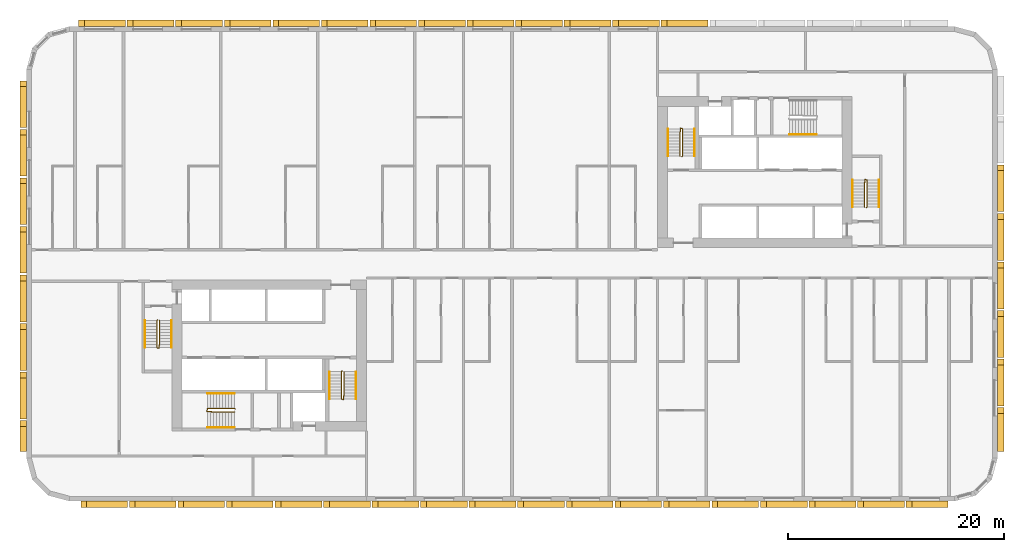
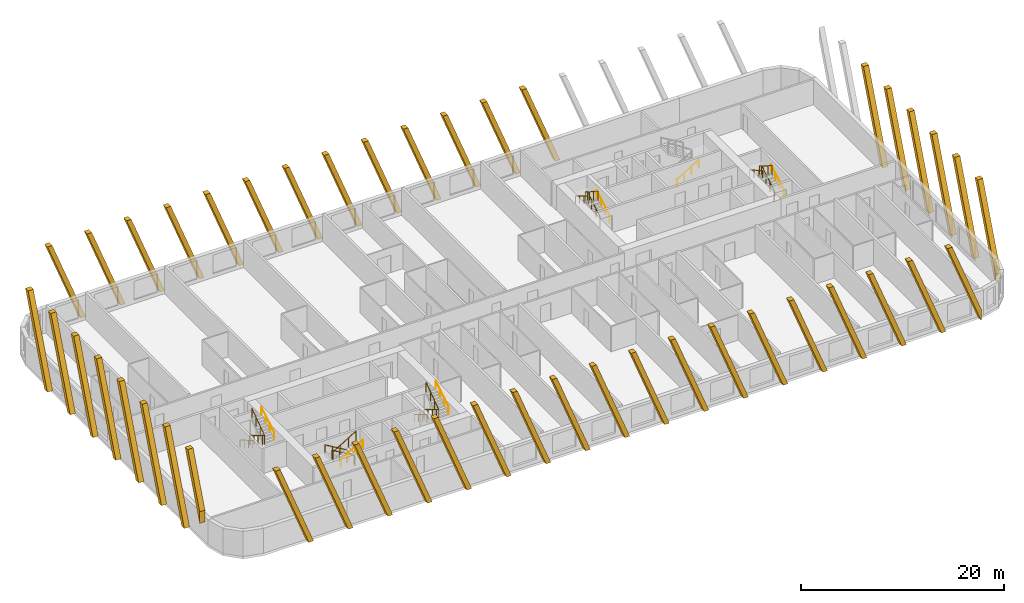
# One storey, part 12 of 13: 45 coverings, 16 railings.
"""IFC4 building model written with IfcOpenShell, lengths in metres."""

from ifc_helpers import new_model, si_unit, direction, frame, origin, origin_2d, place, context, subcontext, project, spatial, polyline, rectangle, circle, outline, extrude, material, material_profile, profile_set, type_object, element, save


model = new_model("IFC4")

# Units and contexts
model_context = context("Model", 3, precision=1e-05, world=origin(), true_north=direction((0.0, 1.0)))
body_context = subcontext(model_context, "Body", "Model", "MODEL_VIEW")
ifc_project = project(units=[si_unit("LENGTHUNIT", "METRE"), si_unit("AREAUNIT", "SQUARE_METRE"), si_unit("VOLUMEUNIT", "CUBIC_METRE"), si_unit("PLANEANGLEUNIT", "RADIAN"), si_unit("MASSUNIT", "GRAM", prefix="KILO")], contexts=[model_context])

# Site, building, storey
site_placement = place(None, origin())
site = spatial("IfcSite", under=ifc_project, at=site_placement, CompositionType="ELEMENT")
building_placement = place(site_placement, origin())
building = spatial("IfcBuilding", under=site, at=building_placement, Name="Kajstack Hotel Tower", CompositionType="ELEMENT")
storey_placement = place(building_placement, frame((0.0, 0.0, 79.800048828125)))
storey = spatial("IfcBuildingStorey", under=building, at=storey_placement, Name="L15", CompositionType="ELEMENT", Elevation=79.800048828125)

# Coverings
ifc_material_1 = material(Name="Terracotta", Category="masonry")
ifc_material_profile = material_profile(ifc_material_1, rectangle(XDim=0.60009765625, YDim=0.5, at=origin_2d()), Name="Terracotta-clad concrete baguette 500 x 600")
ifc_profile_set = profile_set([ifc_material_profile], Name="Terracotta")
covering_type = type_object("IfcCoveringType", Name="BAGUETTE 500x600", PredefinedType="CLADDING", material=ifc_profile_set)
for number, where, z_axis, x_axis, name in (
    (1, (-39.968017578125, -22.0, 0.0), (0.0, -1.0, 0.0), (1.0, 0.0, 0.0), "Baguette L15-03-002"),
    (2, (-35.468017578125, -22.0, 0.0), (0.0, -1.0, 0.0), (1.0, 0.0, 0.0), "Baguette L15-03-006"),
    (3, (-30.968017578125, -22.0, 0.0), (0.0, -1.0, 0.0), (1.0, 0.0, 0.0), "Baguette L15-03-010"),
    (4, (-26.468017578125, -22.0, 0.0), (0.0, -1.0, 0.0), (1.0, 0.0, 0.0), "Baguette L15-03-014"),
    (5, (-21.968017578125, -22.0, 0.0), (0.0, -1.0, 0.0), (1.0, 0.0, 0.0), "Baguette L15-03-018"),
    (6, (-17.468017578125, -22.0, 0.0), (0.0, -1.0, 0.0), (1.0, 0.0, 0.0), "Baguette L15-03-022"),
    (7, (-12.968017578125, -22.0, 0.0), (0.0, -1.0, 0.0), (1.0, 0.0, 0.0), "Baguette L15-03-026"),
    (8, (-8.468017578125, -22.0, 0.0), (0.0, -1.0, 0.0), (1.0, 0.0, 0.0), "Baguette L15-03-030"),
    (9, (-3.968017578125, -22.0, 0.0), (0.0, -1.0, 0.0), (1.0, 0.0, 0.0), "Baguette L15-03-034"),
    (10, (0.531982421875, -22.0, 0.0), (0.0, -1.0, 0.0), (1.0, 0.0, 0.0), "Baguette L15-03-038"),
    (11, (5.031982421875, -22.0, 0.0), (0.0, -1.0, 0.0), (1.0, 0.0, 0.0), "Baguette L15-03-042"),
    (12, (9.531982421875, -22.0, 0.0), (0.0, -1.0, 0.0), (1.0, 0.0, 0.0), "Baguette L15-03-046"),
    (13, (14.031982421875, -22.0, 0.0), (0.0, -1.0, 0.0), (1.0, 0.0, 0.0), "Baguette L15-03-050"),
    (14, (18.531982421875, -22.0, 0.0), (0.0, -1.0, 0.0), (1.0, 0.0, 0.0), "Baguette L15-03-054"),
    (15, (23.031982421875, -22.0, 0.0), (0.0, -1.0, 0.0), (1.0, 0.0, 0.0), "Baguette L15-03-058"),
    (16, (27.531982421875, -22.0, 0.0), (0.0, -1.0, 0.0), (1.0, 0.0, 0.0), "Baguette L15-03-062"),
    (17, (32.031982421875, -22.0, 0.0), (0.0, -1.0, 0.0), (1.0, 0.0, 0.0), "Baguette L15-03-066"),
):
    element("IfcCovering", number, at=place(storey_placement, frame(where, z_axis=z_axis, x_axis=x_axis)), inside=storey, type_object=covering_type, Name=name, PredefinedType="CLADDING", context=body_context, shape_type="SweptSolid", body=[
        extrude(outline(polyline([(0.0, 9.89990234375), (3.80029296875, 0.0), (4.3359375, 0.0), (0.53564453125, 9.89990234375), (0.0, 9.89990234375)])), origin(), (0.0, 0.0, 1.0), 0.60009765625),
    ])
covering_1_placement = place(storey_placement, frame((36.531982421875, -22.0, 0.0), z_axis=(0.0, -1.0, 0.0), x_axis=(1.0, 0.0, 0.0)))
element("IfcCovering", 18, at=covering_1_placement, inside=storey, type_object=covering_type, Name="Baguette L15-03-070", PredefinedType="CLADDING", context=body_context, shape_type="SweptSolid", body=[
    extrude(outline(polyline([(3.80029296875, 0.0), (3.867919921875, 0.0), (3.867919921875, 1.218505859375), (0.53564453125, 9.89990234375), (0.0, 9.89990234375), (3.80029296875, 0.0)])), origin(), (0.0, 0.0, 1.0), 0.60009765625),
])
covering_2_placement = place(storey_placement, frame((45.0, -17.39990234375, 0.0), z_axis=(1.0, 0.0, 0.0), x_axis=(0.0, 1.0, 0.0)))
element("IfcCovering", 19, at=covering_2_placement, inside=storey, type_object=covering_type, Name="Baguette L15-07-002", PredefinedType="CLADDING", context=body_context, shape_type="SweptSolid", body=[
    extrude(outline(polyline([(3.532470703125, 9.89990234375), (0.0, 0.697509765625), (0.0, 0.0), (0.267822265625, 0.0), (4.068115234375, 9.89990234375), (3.532470703125, 9.89990234375)])), origin(), (0.0, 0.0, 1.0), 0.60009765625),
])
for number, where, z_axis, x_axis, name in (
    (20, (45.0, -13.167724609375, 0.0), (1.0, 0.0, 0.0), (0.0, 1.0, 0.0), "Baguette L15-07-006"),
    (21, (45.0, -8.667724609375, 0.0), (1.0, 0.0, 0.0), (0.0, 1.0, 0.0), "Baguette L15-07-010"),
    (22, (45.0, -4.167724609375, 0.0), (1.0, 0.0, 0.0), (0.0, 1.0, 0.0), "Baguette L15-07-014"),
    (23, (45.0, 0.332275390625, 0.0), (1.0, 0.0, 0.0), (0.0, 1.0, 0.0), "Baguette L15-07-018"),
    (24, (45.0, 4.832275390625, 0.0), (1.0, 0.0, 0.0), (0.0, 1.0, 0.0), "Baguette L15-07-022"),
    (25, (18.167724609375, 22.0, 0.0), (0.0, 1.0, 0.0), (-1.0, 0.0, 0.0), "Baguette L15-11-022"),
    (26, (13.667724609375, 22.0, 0.0), (0.0, 1.0, 0.0), (-1.0, 0.0, 0.0), "Baguette L15-11-026"),
    (27, (9.167724609375, 22.0, 0.0), (0.0, 1.0, 0.0), (-1.0, 0.0, 0.0), "Baguette L15-11-030"),
    (28, (4.667724609375, 22.0, 0.0), (0.0, 1.0, 0.0), (-1.0, 0.0, 0.0), "Baguette L15-11-034"),
    (29, (0.167724609375, 22.0, 0.0), (0.0, 1.0, 0.0), (-1.0, 0.0, 0.0), "Baguette L15-11-038"),
    (30, (-4.332275390625, 22.0, 0.0), (0.0, 1.0, 0.0), (-1.0, 0.0, 0.0), "Baguette L15-11-042"),
    (31, (-8.832275390625, 22.0, 0.0), (0.0, 1.0, 0.0), (-1.0, 0.0, 0.0), "Baguette L15-11-046"),
    (32, (-13.332275390625, 22.0, 0.0), (0.0, 1.0, 0.0), (-1.0, 0.0, 0.0), "Baguette L15-11-050"),
    (33, (-17.832275390625, 22.0, 0.0), (0.0, 1.0, 0.0), (-1.0, 0.0, 0.0), "Baguette L15-11-054"),
    (34, (-22.332275390625, 22.0, 0.0), (0.0, 1.0, 0.0), (-1.0, 0.0, 0.0), "Baguette L15-11-058"),
    (35, (-26.832275390625, 22.0, 0.0), (0.0, 1.0, 0.0), (-1.0, 0.0, 0.0), "Baguette L15-11-062"),
    (36, (-31.332275390625, 22.0, 0.0), (0.0, 1.0, 0.0), (-1.0, 0.0, 0.0), "Baguette L15-11-066"),
    (37, (-35.832275390625, 22.0, 0.0), (0.0, 1.0, 0.0), (-1.0, 0.0, 0.0), "Baguette L15-11-070"),
):
    element("IfcCovering", number, at=place(storey_placement, frame(where, z_axis=z_axis, x_axis=x_axis)), inside=storey, type_object=covering_type, Name=name, PredefinedType="CLADDING", context=body_context, shape_type="SweptSolid", body=[
        extrude(outline(polyline([(3.80029296875, 9.89990234375), (0.0, 0.0), (0.53564453125, 0.0), (4.3359375, 9.89990234375), (3.80029296875, 9.89990234375)])), origin(), (0.0, 0.0, 1.0), 0.60009765625),
    ])
for number, where, z_axis, x_axis, name in (
    (38, (-45.0, 16.968017578125, 0.0), (-1.0, 0.0, 0.0), (0.0, -1.0, 0.0), "Baguette L15-15-002"),
    (39, (-45.0, 12.468017578125, 0.0), (-1.0, 0.0, 0.0), (0.0, -1.0, 0.0), "Baguette L15-15-006"),
    (40, (-45.0, 7.968017578125, 0.0), (-1.0, 0.0, 0.0), (0.0, -1.0, 0.0), "Baguette L15-15-010"),
    (41, (-45.0, 3.468017578125, 0.0), (-1.0, 0.0, 0.0), (0.0, -1.0, 0.0), "Baguette L15-15-014"),
    (42, (-45.0, -1.031982421875, 0.0), (-1.0, 0.0, 0.0), (0.0, -1.0, 0.0), "Baguette L15-15-018"),
    (43, (-45.0, -5.531982421875, 0.0), (-1.0, 0.0, 0.0), (0.0, -1.0, 0.0), "Baguette L15-15-022"),
    (44, (-45.0, -10.031982421875, 0.0), (-1.0, 0.0, 0.0), (0.0, -1.0, 0.0), "Baguette L15-15-026"),
):
    element("IfcCovering", number, at=place(storey_placement, frame(where, z_axis=z_axis, x_axis=x_axis)), inside=storey, type_object=covering_type, Name=name, PredefinedType="CLADDING", context=body_context, shape_type="SweptSolid", body=[
        extrude(outline(polyline([(0.0, 9.89990234375), (3.80029296875, 0.0), (4.3359375, 0.0), (0.53564453125, 9.89990234375), (0.0, 9.89990234375)])), origin(), (0.0, 0.0, 1.0), 0.60009765625),
    ])
covering_3_placement = place(storey_placement, frame((-45.0, -14.531982421875, 0.0), z_axis=(-1.0, 0.0, 0.0), x_axis=(0.0, -1.0, 0.0)))
element("IfcCovering", 45, at=covering_3_placement, inside=storey, type_object=covering_type, Name="Baguette L15-15-030", PredefinedType="CLADDING", context=body_context, shape_type="SweptSolid", body=[
    extrude(outline(polyline([(0.0, 9.89990234375), (2.867919921875, 2.428466796875), (2.867919921875, 3.82373046875), (0.53564453125, 9.89990234375), (0.0, 9.89990234375)])), origin(), (0.0, 0.0, 1.0), 0.60009765625),
])

# Railings
ifc_material_2 = material(Name="Steel S355J2", Category="steel")
railing_type_1 = type_object("IfcRailingType", Name="Stair guard 1100", PredefinedType="GUARDRAIL", material=ifc_material_2)
railing_1_placement = place(storey_placement, frame((-32.85009765625, -5.199951171875, 0.0)))
element("IfcRailing", 46, at=railing_1_placement, inside=storey, type_object=railing_type_1, Name="L15 W1 stair guard 1", PredefinedType="GUARDRAIL", context=body_context, shape_type="SweptSolid", body=[
    extrude(circle(Radius=0.02392578125, at=origin_2d()), frame((0.0, 0.0, 1.076171875), z_axis=(-0.277450376394, -0.278810427259, 0.919394384522), x_axis=(0.708833529934, -0.705375805398, 0.0)), (0.0, 0.0, 1.0), 0.179443359375),
    extrude(circle(Radius=0.02392578125, at=origin_2d()), frame((-0.0498046875, -0.050048828125, 1.2412109375), z_axis=(0.0, -0.861560626758, 0.507654692109), x_axis=(1.0, 0.0, 0.0)), (0.0, 0.0, 1.0), 2.925048828125),
    extrude(circle(Radius=0.02392578125, at=origin_2d()), frame((-0.0498046875, -2.570068359375, 2.72607421875), z_axis=(0.970072785993, -0.242814311512, 0.0), x_axis=(0.242814311512, 0.970072785993, 0.0)), (0.0, 0.0, 1.0), 0.2060546875),
    extrude(circle(Radius=0.02392578125, at=origin_2d()), frame((0.150146484375, -2.6201171875, 2.72607421875), z_axis=(0.016384601254, 0.84136925563, 0.540212292087), x_axis=(-0.999810440751, 0.019470042781, 0.0)), (0.0, 0.0, 1.0), 3.0546875),
    extrude(circle(Radius=0.02099609375, at=origin_2d()), origin(), (0.0, 0.0, 1.0), 1.052001953125),
    extrude(circle(Radius=0.02099609375, at=origin_2d()), frame((-0.0498046875, -0.050048828125, 0.1650390625)), (0.0, 0.0, 1.0), 1.052001953125),
    extrude(circle(Radius=0.02099609375, at=origin_2d()), frame((-0.0498046875, -0.89013671875, 0.659912109375)), (0.0, 0.0, 1.0), 1.052001953125),
    extrude(circle(Radius=0.02099609375, at=origin_2d()), frame((-0.0498046875, -1.72998046875, 1.155029296875)), (0.0, 0.0, 1.0), 1.052001953125),
    extrude(circle(Radius=0.02099609375, at=origin_2d()), frame((-0.0498046875, -2.570068359375, 1.64990234375)), (0.0, 0.0, 1.0), 1.052001953125),
    extrude(circle(Radius=0.02099609375, at=origin_2d()), frame((0.150146484375, -2.6201171875, 1.64990234375)), (0.0, 0.0, 1.0), 1.052001953125),
    extrude(circle(Radius=0.02099609375, at=origin_2d()), frame((0.166748046875, -1.763427734375, 2.199951171875)), (0.0, 0.0, 1.0), 1.052001953125),
    extrude(circle(Radius=0.02099609375, at=origin_2d()), frame((0.18359375, -0.90673828125, 2.75)), (0.0, 0.0, 1.0), 1.052001953125),
    extrude(circle(Radius=0.02099609375, at=origin_2d()), frame((0.2001953125, -0.050048828125, 3.300048828125)), (0.0, 0.0, 1.0), 1.052001953125),
])
railing_2_placement = place(storey_placement, frame((-15.75, -9.949951171875, 0.0)))
element("IfcRailing", 47, at=railing_2_placement, inside=storey, type_object=railing_type_1, Name="L15 W2 stair guard 1", PredefinedType="GUARDRAIL", context=body_context, shape_type="SweptSolid", body=[
    extrude(circle(Radius=0.02392578125, at=origin_2d()), frame((0.0, 0.0, 1.076171875), z_axis=(-0.278705021027, -0.278705021027, 0.919046801044), x_axis=(0.707106781187, -0.707106781187, 0.0)), (0.0, 0.0, 1.0), 0.1796875),
    extrude(circle(Radius=0.02392578125, at=origin_2d()), frame((-0.050048828125, -0.050048828125, 1.2412109375), z_axis=(0.0, -0.861560626758, 0.507654692109), x_axis=(1.0, 0.0, 0.0)), (0.0, 0.0, 1.0), 2.925048828125),
    extrude(circle(Radius=0.02392578125, at=origin_2d()), frame((-0.050048828125, -2.570068359375, 2.72607421875), z_axis=(0.970072785993, -0.242814311512, 0.0), x_axis=(0.242814311512, 0.970072785993, 0.0)), (0.0, 0.0, 1.0), 0.2060546875),
    extrude(circle(Radius=0.02392578125, at=origin_2d()), frame((0.14990234375, -2.6201171875, 2.72607421875), z_axis=(0.016384601254, 0.84136925563, 0.540212292087), x_axis=(-0.999810440751, 0.019470042781, 0.0)), (0.0, 0.0, 1.0), 3.0546875),
    extrude(circle(Radius=0.02099609375, at=origin_2d()), origin(), (0.0, 0.0, 1.0), 1.052001953125),
    extrude(circle(Radius=0.02099609375, at=origin_2d()), frame((-0.050048828125, -0.050048828125, 0.1650390625)), (0.0, 0.0, 1.0), 1.052001953125),
    extrude(circle(Radius=0.02099609375, at=origin_2d()), frame((-0.050048828125, -0.89013671875, 0.659912109375)), (0.0, 0.0, 1.0), 1.052001953125),
    extrude(circle(Radius=0.02099609375, at=origin_2d()), frame((-0.050048828125, -1.72998046875, 1.155029296875)), (0.0, 0.0, 1.0), 1.052001953125),
    extrude(circle(Radius=0.02099609375, at=origin_2d()), frame((-0.050048828125, -2.570068359375, 1.64990234375)), (0.0, 0.0, 1.0), 1.052001953125),
    extrude(circle(Radius=0.02099609375, at=origin_2d()), frame((0.14990234375, -2.6201171875, 1.64990234375)), (0.0, 0.0, 1.0), 1.052001953125),
    extrude(circle(Radius=0.02099609375, at=origin_2d()), frame((0.16650390625, -1.763427734375, 2.199951171875)), (0.0, 0.0, 1.0), 1.052001953125),
    extrude(circle(Radius=0.02099609375, at=origin_2d()), frame((0.183349609375, -0.90673828125, 2.75)), (0.0, 0.0, 1.0), 1.052001953125),
    extrude(circle(Radius=0.02099609375, at=origin_2d()), frame((0.199951171875, -0.050048828125, 3.300048828125)), (0.0, 0.0, 1.0), 1.052001953125),
])
railing_3_placement = place(storey_placement, frame((-25.64990234375, -13.449951171875, 0.0)))
element("IfcRailing", 48, at=railing_3_placement, inside=storey, type_object=railing_type_1, Name="L15 W3 stair guard 1", PredefinedType="GUARDRAIL", context=body_context, shape_type="SweptSolid", body=[
    extrude(circle(Radius=0.02392578125, at=origin_2d()), frame((0.0, 0.0, 1.076171875), z_axis=(-0.278705021027, 0.278705021027, 0.919046801044), x_axis=(-0.707106781187, -0.707106781187, 0.0)), (0.0, 0.0, 1.0), 0.1796875),
    extrude(circle(Radius=0.02392578125, at=origin_2d()), frame((-0.050048828125, 0.050048828125, 1.2412109375), z_axis=(-0.861560626758, 0.0, 0.507654692109), x_axis=(0.0, -1.0, 0.0)), (0.0, 0.0, 1.0), 2.925048828125),
    extrude(circle(Radius=0.02392578125, at=origin_2d()), frame((-2.570068359375, 0.050048828125, 2.72607421875), z_axis=(-0.164529134168, -0.986372223864, 0.0), x_axis=(0.986372223864, -0.164529134168, 0.0)), (0.0, 0.0, 1.0), 0.30419921875),
    extrude(circle(Radius=0.02392578125, at=origin_2d()), frame((-2.6201171875, -0.25, 2.72607421875), z_axis=(0.84136925563, -0.016384601254, 0.540212292087), x_axis=(0.019470042781, 0.999810440751, 0.0)), (0.0, 0.0, 1.0), 3.0546875),
    extrude(circle(Radius=0.02099609375, at=origin_2d()), origin(), (0.0, 0.0, 1.0), 1.052001953125),
    extrude(circle(Radius=0.02099609375, at=origin_2d()), frame((-0.050048828125, 0.050048828125, 0.1650390625)), (0.0, 0.0, 1.0), 1.052001953125),
    extrude(circle(Radius=0.02099609375, at=origin_2d()), frame((-0.89013671875, 0.050048828125, 0.659912109375)), (0.0, 0.0, 1.0), 1.052001953125),
    extrude(circle(Radius=0.02099609375, at=origin_2d()), frame((-1.72998046875, 0.050048828125, 1.155029296875)), (0.0, 0.0, 1.0), 1.052001953125),
    extrude(circle(Radius=0.02099609375, at=origin_2d()), frame((-2.570068359375, 0.050048828125, 1.64990234375)), (0.0, 0.0, 1.0), 1.052001953125),
    extrude(circle(Radius=0.02099609375, at=origin_2d()), frame((-2.6201171875, -0.25, 1.64990234375)), (0.0, 0.0, 1.0), 1.052001953125),
    extrude(circle(Radius=0.02099609375, at=origin_2d()), frame((-1.763427734375, -0.2666015625, 2.199951171875)), (0.0, 0.0, 1.0), 1.052001953125),
    extrude(circle(Radius=0.02099609375, at=origin_2d()), frame((-0.90673828125, -0.283447265625, 2.75)), (0.0, 0.0, 1.0), 1.052001953125),
    extrude(circle(Radius=0.02099609375, at=origin_2d()), frame((-0.050048828125, -0.300048828125, 3.300048828125)), (0.0, 0.0, 1.0), 1.052001953125),
])
railing_4_placement = place(storey_placement, frame((32.85009765625, 5.199951171875, 0.0)))
element("IfcRailing", 49, at=railing_4_placement, inside=storey, type_object=railing_type_1, Name="L15 E1 stair guard 1", PredefinedType="GUARDRAIL", context=body_context, shape_type="SweptSolid", body=[
    extrude(circle(Radius=0.02392578125, at=origin_2d()), frame((0.0, 0.0, 1.076171875), z_axis=(0.277450376394, 0.278810427259, 0.919394384522), x_axis=(-0.708833529934, 0.705375805398, 0.0)), (0.0, 0.0, 1.0), 0.179443359375),
    extrude(circle(Radius=0.02392578125, at=origin_2d()), frame((0.0498046875, 0.050048828125, 1.2412109375), z_axis=(0.0, 0.861560626758, 0.507654692109), x_axis=(-1.0, 0.0, 0.0)), (0.0, 0.0, 1.0), 2.925048828125),
    extrude(circle(Radius=0.02392578125, at=origin_2d()), frame((0.0498046875, 2.570068359375, 2.72607421875), z_axis=(-0.970072785993, 0.242814311512, 0.0), x_axis=(-0.242814311512, -0.970072785993, 0.0)), (0.0, 0.0, 1.0), 0.2060546875),
    extrude(circle(Radius=0.02392578125, at=origin_2d()), frame((-0.150146484375, 2.6201171875, 2.72607421875), z_axis=(-0.016384601254, -0.84136925563, 0.540212292087), x_axis=(0.999810440751, -0.019470042781, 0.0)), (0.0, 0.0, 1.0), 3.0546875),
    extrude(circle(Radius=0.02099609375, at=origin_2d()), origin(), (0.0, 0.0, 1.0), 1.052001953125),
    extrude(circle(Radius=0.02099609375, at=origin_2d()), frame((0.0498046875, 0.050048828125, 0.1650390625)), (0.0, 0.0, 1.0), 1.052001953125),
    extrude(circle(Radius=0.02099609375, at=origin_2d()), frame((0.0498046875, 0.89013671875, 0.659912109375)), (0.0, 0.0, 1.0), 1.052001953125),
    extrude(circle(Radius=0.02099609375, at=origin_2d()), frame((0.0498046875, 1.72998046875, 1.155029296875)), (0.0, 0.0, 1.0), 1.052001953125),
    extrude(circle(Radius=0.02099609375, at=origin_2d()), frame((0.0498046875, 2.570068359375, 1.64990234375)), (0.0, 0.0, 1.0), 1.052001953125),
    extrude(circle(Radius=0.02099609375, at=origin_2d()), frame((-0.150146484375, 2.6201171875, 1.64990234375)), (0.0, 0.0, 1.0), 1.052001953125),
    extrude(circle(Radius=0.02099609375, at=origin_2d()), frame((-0.166748046875, 1.763427734375, 2.199951171875)), (0.0, 0.0, 1.0), 1.052001953125),
    extrude(circle(Radius=0.02099609375, at=origin_2d()), frame((-0.18359375, 0.90673828125, 2.75)), (0.0, 0.0, 1.0), 1.052001953125),
    extrude(circle(Radius=0.02099609375, at=origin_2d()), frame((-0.2001953125, 0.050048828125, 3.300048828125)), (0.0, 0.0, 1.0), 1.052001953125),
])
railing_5_placement = place(storey_placement, frame((15.75, 9.949951171875, 0.0)))
element("IfcRailing", 50, at=railing_5_placement, inside=storey, type_object=railing_type_1, Name="L15 E2 stair guard 1", PredefinedType="GUARDRAIL", context=body_context, shape_type="SweptSolid", body=[
    extrude(circle(Radius=0.02392578125, at=origin_2d()), frame((0.0, 0.0, 1.076171875), z_axis=(0.278705021027, 0.278705021027, 0.919046801044), x_axis=(-0.707106781187, 0.707106781187, 0.0)), (0.0, 0.0, 1.0), 0.1796875),
    extrude(circle(Radius=0.02392578125, at=origin_2d()), frame((0.050048828125, 0.050048828125, 1.2412109375), z_axis=(0.0, 0.861560626758, 0.507654692109), x_axis=(-1.0, 0.0, 0.0)), (0.0, 0.0, 1.0), 2.925048828125),
    extrude(circle(Radius=0.02392578125, at=origin_2d()), frame((0.050048828125, 2.570068359375, 2.72607421875), z_axis=(-0.970072785993, 0.242814311512, 0.0), x_axis=(-0.242814311512, -0.970072785993, 0.0)), (0.0, 0.0, 1.0), 0.2060546875),
    extrude(circle(Radius=0.02392578125, at=origin_2d()), frame((-0.14990234375, 2.6201171875, 2.72607421875), z_axis=(-0.016384601254, -0.84136925563, 0.540212292087), x_axis=(0.999810440751, -0.019470042781, 0.0)), (0.0, 0.0, 1.0), 3.0546875),
    extrude(circle(Radius=0.02099609375, at=origin_2d()), origin(), (0.0, 0.0, 1.0), 1.052001953125),
    extrude(circle(Radius=0.02099609375, at=origin_2d()), frame((0.050048828125, 0.050048828125, 0.1650390625)), (0.0, 0.0, 1.0), 1.052001953125),
    extrude(circle(Radius=0.02099609375, at=origin_2d()), frame((0.050048828125, 0.89013671875, 0.659912109375)), (0.0, 0.0, 1.0), 1.052001953125),
    extrude(circle(Radius=0.02099609375, at=origin_2d()), frame((0.050048828125, 1.72998046875, 1.155029296875)), (0.0, 0.0, 1.0), 1.052001953125),
    extrude(circle(Radius=0.02099609375, at=origin_2d()), frame((0.050048828125, 2.570068359375, 1.64990234375)), (0.0, 0.0, 1.0), 1.052001953125),
    extrude(circle(Radius=0.02099609375, at=origin_2d()), frame((-0.14990234375, 2.6201171875, 1.64990234375)), (0.0, 0.0, 1.0), 1.052001953125),
    extrude(circle(Radius=0.02099609375, at=origin_2d()), frame((-0.16650390625, 1.763427734375, 2.199951171875)), (0.0, 0.0, 1.0), 1.052001953125),
    extrude(circle(Radius=0.02099609375, at=origin_2d()), frame((-0.183349609375, 0.90673828125, 2.75)), (0.0, 0.0, 1.0), 1.052001953125),
    extrude(circle(Radius=0.02099609375, at=origin_2d()), frame((-0.199951171875, 0.050048828125, 3.300048828125)), (0.0, 0.0, 1.0), 1.052001953125),
])
railing_type_2 = type_object("IfcRailingType", Name="Stair handrail 900", PredefinedType="HANDRAIL", material=ifc_material_2)
railing_6_placement = place(storey_placement, frame((-34.0, -5.25, 0.1650390625)))
element("IfcRailing", 51, at=railing_6_placement, inside=storey, type_object=railing_type_2, Name="L15 W1 stair handrail 1", PredefinedType="HANDRAIL", context=body_context, shape_type="SweptSolid", body=[
    extrude(circle(Radius=0.02392578125, at=origin_2d()), frame((0.0, 0.0, 0.8759765625), z_axis=(0.0, -0.861560626758, 0.507654692109), x_axis=(1.0, 0.0, 0.0)), (0.0, 0.0, 1.0), 2.925048828125),
    extrude(circle(Radius=0.02099609375, at=origin_2d()), origin(), (0.0, 0.0, 1.0), 0.851806640625),
    extrude(circle(Radius=0.02099609375, at=origin_2d()), frame((0.0, -0.840087890625, 0.494873046875)), (0.0, 0.0, 1.0), 0.851806640625),
    extrude(circle(Radius=0.02099609375, at=origin_2d()), frame((0.0, -1.679931640625, 0.989990234375)), (0.0, 0.0, 1.0), 0.851806640625),
    extrude(circle(Radius=0.02099609375, at=origin_2d()), frame((0.0, -2.52001953125, 1.48486328125)), (0.0, 0.0, 1.0), 0.851806640625),
])
railing_7_placement = place(storey_placement, frame((-31.550048828125, -7.77001953125, 1.81494140625)))
element("IfcRailing", 52, at=railing_7_placement, inside=storey, type_object=railing_type_2, Name="L15 W1 stair handrail 2", PredefinedType="HANDRAIL", context=body_context, shape_type="SweptSolid", body=[
    extrude(circle(Radius=0.02392578125, at=origin_2d()), frame((0.0, 0.0, 0.8759765625), z_axis=(0.0, 0.86152411907, 0.507716645641), x_axis=(-1.0, 0.0, 0.0)), (0.0, 0.0, 1.0), 2.925048828125),
    extrude(circle(Radius=0.02099609375, at=origin_2d()), origin(), (0.0, 0.0, 1.0), 0.851806640625),
    extrude(circle(Radius=0.02099609375, at=origin_2d()), frame((0.0, 0.840087890625, 0.4951171875)), (0.0, 0.0, 1.0), 0.851806640625),
    extrude(circle(Radius=0.02099609375, at=origin_2d()), frame((0.0, 1.679931640625, 0.989990234375)), (0.0, 0.0, 1.0), 0.851806640625),
    extrude(circle(Radius=0.02099609375, at=origin_2d()), frame((0.0, 2.52001953125, 1.485107421875)), (0.0, 0.0, 1.0), 0.851806640625),
])
railing_8_placement = place(storey_placement, frame((-16.89990234375, -10.0, 0.1650390625)))
element("IfcRailing", 53, at=railing_8_placement, inside=storey, type_object=railing_type_2, Name="L15 W2 stair handrail 1", PredefinedType="HANDRAIL", context=body_context, shape_type="SweptSolid", body=[
    extrude(circle(Radius=0.02392578125, at=origin_2d()), frame((0.0, 0.0, 0.8759765625), z_axis=(0.0, -0.861560626758, 0.507654692109), x_axis=(1.0, 0.0, 0.0)), (0.0, 0.0, 1.0), 2.925048828125),
    extrude(circle(Radius=0.02099609375, at=origin_2d()), origin(), (0.0, 0.0, 1.0), 0.851806640625),
    extrude(circle(Radius=0.02099609375, at=origin_2d()), frame((0.0, -0.840087890625, 0.494873046875)), (0.0, 0.0, 1.0), 0.851806640625),
    extrude(circle(Radius=0.02099609375, at=origin_2d()), frame((0.0, -1.679931640625, 0.989990234375)), (0.0, 0.0, 1.0), 0.851806640625),
    extrude(circle(Radius=0.02099609375, at=origin_2d()), frame((0.0, -2.52001953125, 1.48486328125)), (0.0, 0.0, 1.0), 0.851806640625),
])
railing_9_placement = place(storey_placement, frame((-14.449951171875, -12.52001953125, 1.81494140625)))
element("IfcRailing", 54, at=railing_9_placement, inside=storey, type_object=railing_type_2, Name="L15 W2 stair handrail 2", PredefinedType="HANDRAIL", context=body_context, shape_type="SweptSolid", body=[
    extrude(circle(Radius=0.02392578125, at=origin_2d()), frame((0.0, 0.0, 0.8759765625), z_axis=(0.0, 0.86152411907, 0.507716645641), x_axis=(-1.0, 0.0, 0.0)), (0.0, 0.0, 1.0), 2.925048828125),
    extrude(circle(Radius=0.02099609375, at=origin_2d()), origin(), (0.0, 0.0, 1.0), 0.851806640625),
    extrude(circle(Radius=0.02099609375, at=origin_2d()), frame((0.0, 0.840087890625, 0.4951171875)), (0.0, 0.0, 1.0), 0.851806640625),
    extrude(circle(Radius=0.02099609375, at=origin_2d()), frame((0.0, 1.679931640625, 0.989990234375)), (0.0, 0.0, 1.0), 0.851806640625),
    extrude(circle(Radius=0.02099609375, at=origin_2d()), frame((0.0, 2.52001953125, 1.485107421875)), (0.0, 0.0, 1.0), 0.851806640625),
])
railing_10_placement = place(storey_placement, frame((-25.699951171875, -12.0, 0.1650390625)))
element("IfcRailing", 55, at=railing_10_placement, inside=storey, type_object=railing_type_2, Name="L15 W3 stair handrail 1", PredefinedType="HANDRAIL", context=body_context, shape_type="SweptSolid", body=[
    extrude(circle(Radius=0.02392578125, at=origin_2d()), frame((0.0, 0.0, 0.8759765625), z_axis=(-0.861560626758, 0.0, 0.507654692109), x_axis=(0.0, -1.0, 0.0)), (0.0, 0.0, 1.0), 2.925048828125),
    extrude(circle(Radius=0.02099609375, at=origin_2d()), origin(), (0.0, 0.0, 1.0), 0.851806640625),
    extrude(circle(Radius=0.02099609375, at=origin_2d()), frame((-0.840087890625, 0.0, 0.494873046875)), (0.0, 0.0, 1.0), 0.851806640625),
    extrude(circle(Radius=0.02099609375, at=origin_2d()), frame((-1.679931640625, 0.0, 0.989990234375)), (0.0, 0.0, 1.0), 0.851806640625),
    extrude(circle(Radius=0.02099609375, at=origin_2d()), frame((-2.52001953125, 0.0, 1.48486328125)), (0.0, 0.0, 1.0), 0.851806640625),
])
railing_11_placement = place(storey_placement, frame((-28.219970703125, -15.14990234375, 1.81494140625)))
element("IfcRailing", 56, at=railing_11_placement, inside=storey, type_object=railing_type_2, Name="L15 W3 stair handrail 2", PredefinedType="HANDRAIL", context=body_context, shape_type="SweptSolid", body=[
    extrude(circle(Radius=0.02392578125, at=origin_2d()), frame((0.0, 0.0, 0.8759765625), z_axis=(0.86152411907, 0.0, 0.507716645641), x_axis=(0.0, 1.0, 0.0)), (0.0, 0.0, 1.0), 2.925048828125),
    extrude(circle(Radius=0.02099609375, at=origin_2d()), origin(), (0.0, 0.0, 1.0), 0.851806640625),
    extrude(circle(Radius=0.02099609375, at=origin_2d()), frame((0.840087890625, 0.0, 0.4951171875)), (0.0, 0.0, 1.0), 0.851806640625),
    extrude(circle(Radius=0.02099609375, at=origin_2d()), frame((1.679931640625, 0.0, 0.989990234375)), (0.0, 0.0, 1.0), 0.851806640625),
    extrude(circle(Radius=0.02099609375, at=origin_2d()), frame((2.52001953125, 0.0, 1.485107421875)), (0.0, 0.0, 1.0), 0.851806640625),
])
railing_12_placement = place(storey_placement, frame((34.0, 5.25, 0.1650390625)))
element("IfcRailing", 57, at=railing_12_placement, inside=storey, type_object=railing_type_2, Name="L15 E1 stair handrail 1", PredefinedType="HANDRAIL", context=body_context, shape_type="SweptSolid", body=[
    extrude(circle(Radius=0.02392578125, at=origin_2d()), frame((0.0, 0.0, 0.8759765625), z_axis=(0.0, 0.861560626758, 0.507654692109), x_axis=(-1.0, 0.0, 0.0)), (0.0, 0.0, 1.0), 2.925048828125),
    extrude(circle(Radius=0.02099609375, at=origin_2d()), origin(), (0.0, 0.0, 1.0), 0.851806640625),
    extrude(circle(Radius=0.02099609375, at=origin_2d()), frame((0.0, 0.840087890625, 0.494873046875)), (0.0, 0.0, 1.0), 0.851806640625),
    extrude(circle(Radius=0.02099609375, at=origin_2d()), frame((0.0, 1.679931640625, 0.989990234375)), (0.0, 0.0, 1.0), 0.851806640625),
    extrude(circle(Radius=0.02099609375, at=origin_2d()), frame((0.0, 2.52001953125, 1.48486328125)), (0.0, 0.0, 1.0), 0.851806640625),
])
railing_13_placement = place(storey_placement, frame((31.550048828125, 7.77001953125, 1.81494140625)))
element("IfcRailing", 58, at=railing_13_placement, inside=storey, type_object=railing_type_2, Name="L15 E1 stair handrail 2", PredefinedType="HANDRAIL", context=body_context, shape_type="SweptSolid", body=[
    extrude(circle(Radius=0.02392578125, at=origin_2d()), frame((0.0, 0.0, 0.8759765625), z_axis=(0.0, -0.86152411907, 0.507716645641), x_axis=(1.0, 0.0, 0.0)), (0.0, 0.0, 1.0), 2.925048828125),
    extrude(circle(Radius=0.02099609375, at=origin_2d()), origin(), (0.0, 0.0, 1.0), 0.851806640625),
    extrude(circle(Radius=0.02099609375, at=origin_2d()), frame((0.0, -0.840087890625, 0.4951171875)), (0.0, 0.0, 1.0), 0.851806640625),
    extrude(circle(Radius=0.02099609375, at=origin_2d()), frame((0.0, -1.679931640625, 0.989990234375)), (0.0, 0.0, 1.0), 0.851806640625),
    extrude(circle(Radius=0.02099609375, at=origin_2d()), frame((0.0, -2.52001953125, 1.485107421875)), (0.0, 0.0, 1.0), 0.851806640625),
])
railing_14_placement = place(storey_placement, frame((16.89990234375, 10.0, 0.1650390625)))
element("IfcRailing", 59, at=railing_14_placement, inside=storey, type_object=railing_type_2, Name="L15 E2 stair handrail 1", PredefinedType="HANDRAIL", context=body_context, shape_type="SweptSolid", body=[
    extrude(circle(Radius=0.02392578125, at=origin_2d()), frame((0.0, 0.0, 0.8759765625), z_axis=(0.0, 0.861560626758, 0.507654692109), x_axis=(-1.0, 0.0, 0.0)), (0.0, 0.0, 1.0), 2.925048828125),
    extrude(circle(Radius=0.02099609375, at=origin_2d()), origin(), (0.0, 0.0, 1.0), 0.851806640625),
    extrude(circle(Radius=0.02099609375, at=origin_2d()), frame((0.0, 0.840087890625, 0.494873046875)), (0.0, 0.0, 1.0), 0.851806640625),
    extrude(circle(Radius=0.02099609375, at=origin_2d()), frame((0.0, 1.679931640625, 0.989990234375)), (0.0, 0.0, 1.0), 0.851806640625),
    extrude(circle(Radius=0.02099609375, at=origin_2d()), frame((0.0, 2.52001953125, 1.48486328125)), (0.0, 0.0, 1.0), 0.851806640625),
])
railing_15_placement = place(storey_placement, frame((14.449951171875, 12.52001953125, 1.81494140625)))
element("IfcRailing", 60, at=railing_15_placement, inside=storey, type_object=railing_type_2, Name="L15 E2 stair handrail 2", PredefinedType="HANDRAIL", context=body_context, shape_type="SweptSolid", body=[
    extrude(circle(Radius=0.02392578125, at=origin_2d()), frame((0.0, 0.0, 0.8759765625), z_axis=(0.0, -0.86152411907, 0.507716645641), x_axis=(1.0, 0.0, 0.0)), (0.0, 0.0, 1.0), 2.925048828125),
    extrude(circle(Radius=0.02099609375, at=origin_2d()), origin(), (0.0, 0.0, 1.0), 0.851806640625),
    extrude(circle(Radius=0.02099609375, at=origin_2d()), frame((0.0, -0.840087890625, 0.4951171875)), (0.0, 0.0, 1.0), 0.851806640625),
    extrude(circle(Radius=0.02099609375, at=origin_2d()), frame((0.0, -1.679931640625, 0.989990234375)), (0.0, 0.0, 1.0), 0.851806640625),
    extrude(circle(Radius=0.02099609375, at=origin_2d()), frame((0.0, -2.52001953125, 1.485107421875)), (0.0, 0.0, 1.0), 0.851806640625),
])
railing_16_placement = place(storey_placement, frame((25.699951171875, 12.0, 0.1650390625)))
element("IfcRailing", 61, at=railing_16_placement, inside=storey, type_object=railing_type_2, Name="L15 E3 stair handrail 1", PredefinedType="HANDRAIL", context=body_context, shape_type="SweptSolid", body=[
    extrude(circle(Radius=0.02392578125, at=origin_2d()), frame((0.0, 0.0, 0.8759765625), z_axis=(0.861560626758, 0.0, 0.507654692109), x_axis=(0.0, 1.0, 0.0)), (0.0, 0.0, 1.0), 2.925048828125),
    extrude(circle(Radius=0.02099609375, at=origin_2d()), origin(), (0.0, 0.0, 1.0), 0.851806640625),
    extrude(circle(Radius=0.02099609375, at=origin_2d()), frame((0.840087890625, 0.0, 0.494873046875)), (0.0, 0.0, 1.0), 0.851806640625),
    extrude(circle(Radius=0.02099609375, at=origin_2d()), frame((1.679931640625, 0.0, 0.989990234375)), (0.0, 0.0, 1.0), 0.851806640625),
    extrude(circle(Radius=0.02099609375, at=origin_2d()), frame((2.52001953125, 0.0, 1.48486328125)), (0.0, 0.0, 1.0), 0.851806640625),
])

save(model, "model.ifc")
